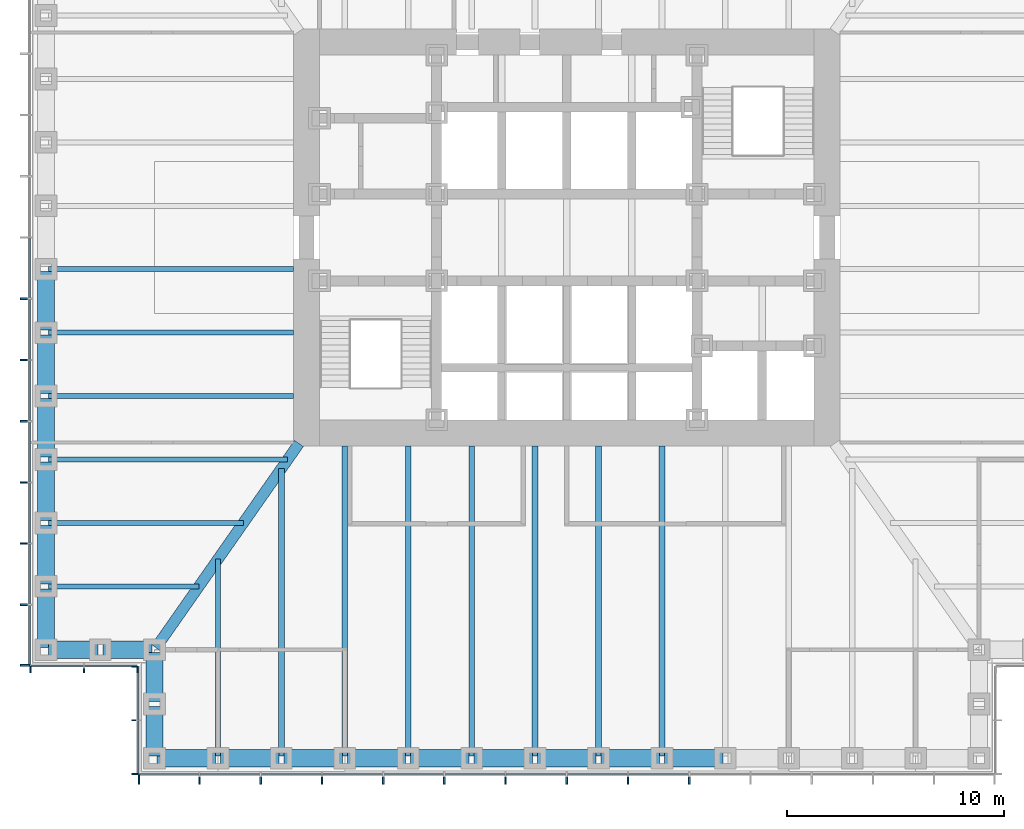
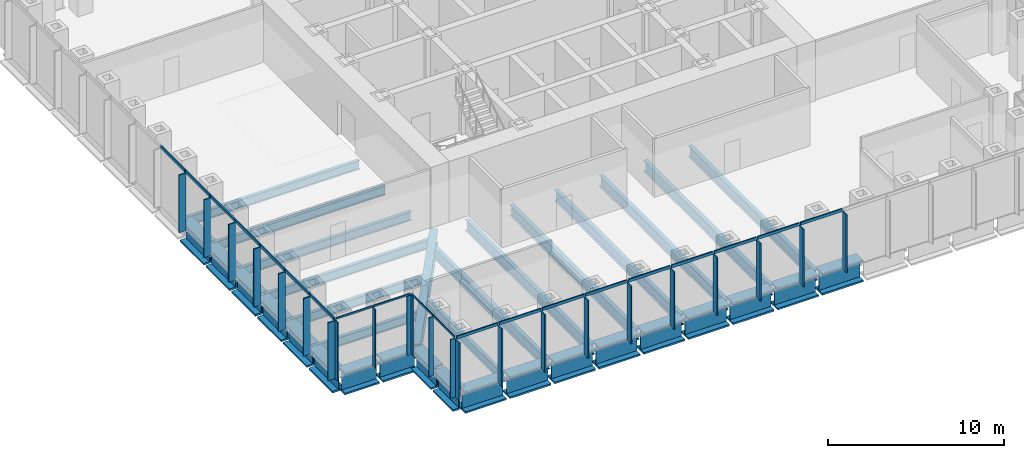
# One storey, part 2 of 16: 43 members, 34 beams, 4 elements without a shape of their own.
"""IFC4 building model written with IfcOpenShell, lengths in metres."""

import ifcopenshell
import ifcopenshell.guid

model = None  # the IFC model being written
_history = None  # IfcOwnerHistory: only IFC2X3 demands one
_inside = {}  # id of a spatial element -> (the spatial element, [elements in it])
_under = {}  # id of a project, library or spatial element -> (it, [spatial elements below it])
_declared = {}  # id of a project -> (the project, [libraries it declares])
_typed = {}  # id of a type object -> (the type object, [elements of that type])
_made_of = {}  # id of a material, layer set ... -> (it, [elements and type objects made of it])


def new_model(schema):
    """Start an empty IFC model of exactly this schema.

    Asked for "IFC4X3", IfcOpenShell would pick the latest addendum, in which some entities
    have other attributes; the version numbers below select the first issue.
    IFC2X3 requires an IfcOwnerHistory on every rooted entity: one is made here for all.
    """
    global model, _history
    if schema == "IFC4X3":
        model = ifcopenshell.file(schema_version=(4, 3, 0, 0))
    else:
        model = ifcopenshell.file(schema=schema)
    _inside.clear()
    _under.clear()
    _declared.clear()
    _typed.clear()
    _made_of.clear()
    _history = None
    if model.schema == "IFC2X3":
        org = make("IfcOrganization", Name="unknown")
        user = make(
            "IfcPersonAndOrganization",
            ThePerson=make("IfcPerson", FamilyName="unknown"),
            TheOrganization=org,
        )
        app = make(
            "IfcApplication",
            ApplicationDeveloper=org,
            Version="unknown",
            ApplicationFullName="unknown",
            ApplicationIdentifier="unknown",
        )
        _history = make(
            "IfcOwnerHistory",
            OwningUser=user,
            OwningApplication=app,
            ChangeAction="ADDED",
            CreationDate=0,
        )
    return model


def make(cls, **values):
    """One entity of the class cls with the attributes given. An attribute that is None is left unset."""
    return model.create_entity(
        cls, **{name: value for name, value in values.items() if value is not None}
    )


def rooted(cls, **values):
    """An entity with a GlobalId (a new one), such as an element, a storey or a relation."""
    return make(cls, GlobalId=ifcopenshell.guid.new(), OwnerHistory=_history, **values)


def si_unit(unit_type, name, prefix=None):
    """IfcSIUnit, for example si_unit("LENGTHUNIT", "METRE", prefix="MILLI")."""
    return make("IfcSIUnit", UnitType=unit_type, Prefix=prefix, Name=name)


def assignment(units):
    """IfcUnitAssignment: the units of a project."""
    return None if units is None else make("IfcUnitAssignment", Units=units)


def point(xyz):
    """IfcCartesianPoint."""
    return None if xyz is None else make("IfcCartesianPoint", Coordinates=xyz)


def direction(xyz):
    """IfcDirection."""
    return None if xyz is None else make("IfcDirection", DirectionRatios=xyz)


def frame(location, z_axis=None, x_axis=None):
    """IfcAxis2Placement3D, a coordinate frame: its origin and axes. An axis left out is left unset."""
    return make(
        "IfcAxis2Placement3D",
        Location=point(location),
        Axis=direction(z_axis),
        RefDirection=direction(x_axis),
    )


def frame_2d(location, x_axis=None):
    """IfcAxis2Placement2D, a coordinate frame in the plane: its origin and x axis."""
    return make(
        "IfcAxis2Placement2D", Location=point(location), RefDirection=direction(x_axis)
    )


def origin():
    """The frame at (0, 0, 0) with its axes left unset."""
    return frame((0.0, 0.0, 0.0))


def origin_2d():
    """The frame at (0, 0) in the plane with its x axis left unset."""
    return frame_2d((0.0, 0.0))


def place(relative_to, where):
    """IfcLocalPlacement: puts the frame where relative to a parent placement (None: the world)."""
    return make(
        "IfcLocalPlacement", PlacementRelTo=relative_to, RelativePlacement=where
    )


def context(
    kind, dimensions, precision=None, world=None, true_north=None, identifier=None
):
    """IfcGeometricRepresentationContext, for example the 3D "Model" context."""
    return make(
        "IfcGeometricRepresentationContext",
        ContextIdentifier=identifier,
        ContextType=kind,
        CoordinateSpaceDimension=dimensions,
        Precision=precision,
        WorldCoordinateSystem=world,
        TrueNorth=true_north,
    )


def subcontext(parent, identifier, kind, view, scale=None):
    """IfcGeometricRepresentationSubContext, for example "Body" below "Model"."""
    return make(
        "IfcGeometricRepresentationSubContext",
        ContextIdentifier=identifier,
        ContextType=kind,
        ParentContext=parent,
        TargetScale=scale,
        TargetView=view,
    )


def project(units=None, contexts=None):
    """IfcProject with its units and contexts."""
    return rooted(
        "IfcProject",
        Name="project",
        RepresentationContexts=contexts,
        UnitsInContext=assignment(units),
    )


def spatial(cls, under=None, at=None, **own):
    """A site, building, storey or space (cls), placed at a placement, below another one or the project."""
    s = rooted(cls, ObjectPlacement=at, **own)
    if under is not None:
        _under.setdefault(under.id(), (under, []))[1].append(s)
    return s


def profile(cls, at=None, kind="AREA", **sizes):
    """A parametric profile (cls). Its sizes go by their IFC names, for example OverallWidth=200.0."""
    return make(cls, ProfileType=kind, Position=at, **sizes)


def rectangle(**sizes):
    """IfcRectangleProfileDef."""
    return profile("IfcRectangleProfileDef", **sizes)


def i_section(**sizes):
    """IfcIShapeProfileDef."""
    return profile("IfcIShapeProfileDef", **sizes)


def extrude(swept, where, along, depth):
    """IfcExtrudedAreaSolid: the profile swept, set in the frame where, extruded along a direction by depth."""
    return make(
        "IfcExtrudedAreaSolid",
        SweptArea=swept,
        Position=where,
        ExtrudedDirection=direction(along),
        Depth=depth,
    )


def shape(context_of_items, identifier, shape_type, items):
    """IfcShapeRepresentation: the items that make up one representation, for example the "Body"."""
    return make(
        "IfcShapeRepresentation",
        ContextOfItems=context_of_items,
        RepresentationIdentifier=identifier,
        RepresentationType=shape_type,
        Items=items,
    )


def material(Name=None, Category=None):
    """IfcMaterial."""
    return make("IfcMaterial", Name=Name, Category=Category)


def material_profile(
    of_material, cross_section, Name=None, Category=None, Priority=None
):
    """IfcMaterialProfile: a cross section and its material."""
    return make(
        "IfcMaterialProfile",
        Name=Name,
        Material=of_material,
        Profile=cross_section,
        Priority=Priority,
        Category=Category,
    )


def profile_set(profiles, Name=None, composite=None):
    """IfcMaterialProfileSet."""
    return make(
        "IfcMaterialProfileSet",
        Name=Name,
        MaterialProfiles=profiles,
        CompositeProfile=composite,
    )


def made_of(thing, what):
    """Note that an element or type object is made of a material, layer set ...; save() writes the relation."""
    if what is not None:
        _made_of.setdefault(what.id(), (what, []))[1].append(thing)
    return thing


def type_object(cls, material=None, **own):
    """A type object (cls), such as IfcWallType, which elements share."""
    return made_of(rooted(cls, **own), material)


def element(
    cls,
    number,
    at=None,
    inside=None,
    cuts=None,
    type_object=None,
    material=None,
    context=None,
    identifier="Body",
    shape_type=None,
    held_by="IfcProductDefinitionShape",
    body=None,
    shapes=None,
    **own,
):
    """One element of the class cls, such as IfcWall. Its Tag is "e" and its number.

    at: its placement. inside: the storey or other place that contains it. cuts: it is an
    opening in that element (IfcRelVoidsElement). A single representation is given by context,
    identifier, shape_type and body (its items); several are given by shapes. held_by: the class
    of the entity that holds the representations. save() writes the other relations.
    """
    e = rooted(cls, Tag="e%d" % number, ObjectPlacement=at, **own)
    if body is not None:
        shapes = [shape(context, identifier, shape_type, body)]
    if shapes is not None:
        e.Representation = make(held_by, Representations=shapes)
    if inside is not None:
        _inside.setdefault(inside.id(), (inside, []))[1].append(e)
    if cuts is not None:
        rooted(
            "IfcRelVoidsElement", RelatingBuildingElement=cuts, RelatedOpeningElement=e
        )
    if type_object is not None:
        _typed.setdefault(type_object.id(), (type_object, []))[1].append(e)
    return made_of(e, material)


def aggregate(whole, parts):
    """IfcRelAggregates: a whole, such as a stair, and the parts it consists of."""
    return rooted("IfcRelAggregates", RelatingObject=whole, RelatedObjects=parts)


def save(model, path):
    """Write the relations noted so far, then the file.

    IfcRelAggregates (storeys below a building ...), IfcRelContainedInSpatialStructure (elements
    in a storey), IfcRelDefinesByType, IfcRelAssociatesMaterial and IfcRelDeclares: one each for
    every whole, place, type object, material and project.
    """
    for whole, parts in _under.values():
        aggregate(whole, parts)
    for where, things in _inside.values():
        rooted(
            "IfcRelContainedInSpatialStructure",
            RelatedElements=things,
            RelatingStructure=where,
        )
    for kind, things in _typed.values():
        rooted("IfcRelDefinesByType", RelatedObjects=things, RelatingType=kind)
    for what, things in _made_of.values():
        rooted("IfcRelAssociatesMaterial", RelatedObjects=things, RelatingMaterial=what)
    for by, libraries in _declared.values():
        rooted("IfcRelDeclares", RelatingContext=by, RelatedDefinitions=libraries)
    model.write(path)


model = new_model("IFC4")

# Units and contexts
model_context = context("Model", 3, precision=1e-05, world=origin(), true_north=direction((0.0, 1.0)))
body_context = subcontext(model_context, "Body", "Model", "MODEL_VIEW")
ifc_project = project(units=[si_unit("LENGTHUNIT", "METRE"), si_unit("AREAUNIT", "SQUARE_METRE"), si_unit("VOLUMEUNIT", "CUBIC_METRE"), si_unit("PLANEANGLEUNIT", "RADIAN"), si_unit("MASSUNIT", "GRAM", prefix="KILO")], contexts=[model_context])

# Site, building, storey
site_placement = place(None, origin())
site = spatial("IfcSite", under=ifc_project, at=site_placement, CompositionType="ELEMENT")
building_placement = place(site_placement, origin())
building = spatial("IfcBuilding", under=site, at=building_placement, Name="Daluyong Arena Tower", CompositionType="ELEMENT")
storey_placement = place(building_placement, frame((0.0, 0.0, 47.5)))
storey = spatial("IfcBuildingStorey", under=building, at=storey_placement, Name="L09", CompositionType="ELEMENT", Elevation=47.5)

# Curtain wall, members
ifc_material_1 = material(Name="Bronze anodised aluminium and glass", Category="aluminium")
curtain_wall_type_1 = type_object("IfcCurtainWallType", Name="Curtain wall CW1", PredefinedType="USERDEFINED", material=ifc_material_1)
curtain_wall_1_placement = place(storey_placement, origin())
curtain_wall_1 = element("IfcCurtainWall", 1, at=curtain_wall_1_placement, inside=storey, type_object=curtain_wall_type_1, Name="curtain wall L09 S", ObjectType="UNITISED CURTAIN WALL", PredefinedType="USERDEFINED")
ifc_material_2 = material(Name="Bronze anodised aluminium fin", Category="aluminium")
ifc_material_profile_1 = material_profile(ifc_material_2, rectangle(XDim=0.449951171875, YDim=0.080078125, at=origin_2d()))
ifc_profile_set_1 = profile_set([ifc_material_profile_1], Name="Bronze anodised aluminium fin")
member_type_1 = type_object("IfcMemberType", Name="CW1 bronze fin 450x80", PredefinedType="MULLION", material=ifc_profile_set_1)
member_1_placement = place(storey_placement, frame((36.2900390625, 55.02490234375, 0.0), z_axis=(0.0, 0.0, 1.0), x_axis=(0.0, 1.0, 0.0)))
member_1 = element("IfcMember", 2, at=member_1_placement, type_object=member_type_1, Name="curtain wall L09 S fin 1", PredefinedType="MULLION", context=body_context, shape_type="SweptSolid", body=[
    extrude(rectangle(XDim=0.449951171875, YDim=0.080078125, at=origin_2d()), origin(), (0.0, 0.0, 1.0), 4.0),
])
member_2_placement = place(storey_placement, frame((39.071533203125, 55.02490234375, 0.0), z_axis=(0.0, 0.0, 1.0), x_axis=(0.0, 1.0, 0.0)))
member_2 = element("IfcMember", 3, at=member_2_placement, type_object=member_type_1, Name="curtain wall L09 S fin 2", PredefinedType="MULLION", context=body_context, shape_type="SweptSolid", body=[
    extrude(rectangle(XDim=0.449951171875, YDim=0.080078125, at=origin_2d()), origin(), (0.0, 0.0, 1.0), 4.0),
])
member_3_placement = place(storey_placement, frame((41.892822265625, 55.02490234375, 0.0), z_axis=(0.0, 0.0, 1.0), x_axis=(0.0, 1.0, 0.0)))
member_3 = element("IfcMember", 4, at=member_3_placement, type_object=member_type_1, Name="curtain wall L09 S fin 3", PredefinedType="MULLION", context=body_context, shape_type="SweptSolid", body=[
    extrude(rectangle(XDim=0.449951171875, YDim=0.080078125, at=origin_2d()), origin(), (0.0, 0.0, 1.0), 4.0),
])
member_4_placement = place(storey_placement, frame((44.71435546875, 55.02490234375, 0.0), z_axis=(0.0, 0.0, 1.0), x_axis=(0.0, 1.0, 0.0)))
member_4 = element("IfcMember", 5, at=member_4_placement, type_object=member_type_1, Name="curtain wall L09 S fin 4", PredefinedType="MULLION", context=body_context, shape_type="SweptSolid", body=[
    extrude(rectangle(XDim=0.449951171875, YDim=0.080078125, at=origin_2d()), origin(), (0.0, 0.0, 1.0), 4.0),
])
member_5_placement = place(storey_placement, frame((47.53564453125, 55.02490234375, 0.0), z_axis=(0.0, 0.0, 1.0), x_axis=(0.0, 1.0, 0.0)))
member_5 = element("IfcMember", 6, at=member_5_placement, type_object=member_type_1, Name="curtain wall L09 S fin 5", PredefinedType="MULLION", context=body_context, shape_type="SweptSolid", body=[
    extrude(rectangle(XDim=0.449951171875, YDim=0.080078125, at=origin_2d()), origin(), (0.0, 0.0, 1.0), 4.0),
])
member_6_placement = place(storey_placement, frame((50.357177734375, 55.02490234375, 0.0), z_axis=(0.0, 0.0, 1.0), x_axis=(0.0, 1.0, 0.0)))
member_6 = element("IfcMember", 7, at=member_6_placement, type_object=member_type_1, Name="curtain wall L09 S fin 6", PredefinedType="MULLION", context=body_context, shape_type="SweptSolid", body=[
    extrude(rectangle(XDim=0.449951171875, YDim=0.080078125, at=origin_2d()), origin(), (0.0, 0.0, 1.0), 4.0),
])
member_7_placement = place(storey_placement, frame((53.178466796875, 55.02490234375, 0.0), z_axis=(0.0, 0.0, 1.0), x_axis=(0.0, 1.0, 0.0)))
member_7 = element("IfcMember", 8, at=member_7_placement, type_object=member_type_1, Name="curtain wall L09 S fin 7", PredefinedType="MULLION", context=body_context, shape_type="SweptSolid", body=[
    extrude(rectangle(XDim=0.449951171875, YDim=0.080078125, at=origin_2d()), origin(), (0.0, 0.0, 1.0), 4.0),
])
member_8_placement = place(storey_placement, frame((56.0, 55.02490234375, 0.0), z_axis=(0.0, 0.0, 1.0), x_axis=(0.0, 1.0, 0.0)))
member_8 = element("IfcMember", 9, at=member_8_placement, type_object=member_type_1, Name="curtain wall L09 S fin 8", PredefinedType="MULLION", context=body_context, shape_type="SweptSolid", body=[
    extrude(rectangle(XDim=0.449951171875, YDim=0.080078125, at=origin_2d()), origin(), (0.0, 0.0, 1.0), 4.0),
])
member_9_placement = place(storey_placement, frame((58.821533203125, 55.02490234375, 0.0), z_axis=(0.0, 0.0, 1.0), x_axis=(0.0, 1.0, 0.0)))
member_9 = element("IfcMember", 10, at=member_9_placement, type_object=member_type_1, Name="curtain wall L09 S fin 9", PredefinedType="MULLION", context=body_context, shape_type="SweptSolid", body=[
    extrude(rectangle(XDim=0.449951171875, YDim=0.080078125, at=origin_2d()), origin(), (0.0, 0.0, 1.0), 4.0),
])
member_10_placement = place(storey_placement, frame((61.642822265625, 55.02490234375, 0.0), z_axis=(0.0, 0.0, 1.0), x_axis=(0.0, 1.0, 0.0)))
member_10 = element("IfcMember", 11, at=member_10_placement, type_object=member_type_1, Name="curtain wall L09 S fin 10", PredefinedType="MULLION", context=body_context, shape_type="SweptSolid", body=[
    extrude(rectangle(XDim=0.449951171875, YDim=0.080078125, at=origin_2d()), origin(), (0.0, 0.0, 1.0), 4.0),
])

curtain_wall_2_placement = place(storey_placement, origin())
curtain_wall_2 = element("IfcCurtainWall", 12, at=curtain_wall_2_placement, inside=storey, type_object=curtain_wall_type_1, Name="curtain wall L09 W", ObjectType="UNITISED CURTAIN WALL", PredefinedType="USERDEFINED")
member_11_placement = place(storey_placement, frame((31.02490234375, 77.178466796875, 0.0), z_axis=(0.0, 0.0, 1.0), x_axis=(1.0, 0.0, 0.0)))
member_11 = element("IfcMember", 13, at=member_11_placement, type_object=member_type_1, Name="curtain wall L09 W fin 9", PredefinedType="MULLION", context=body_context, shape_type="SweptSolid", body=[
    extrude(rectangle(XDim=0.449951171875, YDim=0.080078125, at=origin_2d()), origin(), (0.0, 0.0, 1.0), 4.0),
])
member_12_placement = place(storey_placement, frame((31.02490234375, 74.357177734375, 0.0), z_axis=(0.0, 0.0, 1.0), x_axis=(1.0, 0.0, 0.0)))
member_12 = element("IfcMember", 14, at=member_12_placement, type_object=member_type_1, Name="curtain wall L09 W fin 10", PredefinedType="MULLION", context=body_context, shape_type="SweptSolid", body=[
    extrude(rectangle(XDim=0.449951171875, YDim=0.080078125, at=origin_2d()), origin(), (0.0, 0.0, 1.0), 4.0),
])
member_13_placement = place(storey_placement, frame((31.02490234375, 71.53564453125, 0.0), z_axis=(0.0, 0.0, 1.0), x_axis=(1.0, 0.0, 0.0)))
member_13 = element("IfcMember", 15, at=member_13_placement, type_object=member_type_1, Name="curtain wall L09 W fin 11", PredefinedType="MULLION", context=body_context, shape_type="SweptSolid", body=[
    extrude(rectangle(XDim=0.449951171875, YDim=0.080078125, at=origin_2d()), origin(), (0.0, 0.0, 1.0), 4.0),
])
member_14_placement = place(storey_placement, frame((31.02490234375, 68.71435546875, 0.0), z_axis=(0.0, 0.0, 1.0), x_axis=(1.0, 0.0, 0.0)))
member_14 = element("IfcMember", 16, at=member_14_placement, type_object=member_type_1, Name="curtain wall L09 W fin 12", PredefinedType="MULLION", context=body_context, shape_type="SweptSolid", body=[
    extrude(rectangle(XDim=0.449951171875, YDim=0.080078125, at=origin_2d()), origin(), (0.0, 0.0, 1.0), 4.0),
])
member_15_placement = place(storey_placement, frame((31.02490234375, 65.892822265625, 0.0), z_axis=(0.0, 0.0, 1.0), x_axis=(1.0, 0.0, 0.0)))
member_15 = element("IfcMember", 17, at=member_15_placement, type_object=member_type_1, Name="curtain wall L09 W fin 13", PredefinedType="MULLION", context=body_context, shape_type="SweptSolid", body=[
    extrude(rectangle(XDim=0.449951171875, YDim=0.080078125, at=origin_2d()), origin(), (0.0, 0.0, 1.0), 4.0),
])
member_16_placement = place(storey_placement, frame((31.02490234375, 63.071533203125, 0.0), z_axis=(0.0, 0.0, 1.0), x_axis=(1.0, 0.0, 0.0)))
member_16 = element("IfcMember", 18, at=member_16_placement, type_object=member_type_1, Name="curtain wall L09 W fin 14", PredefinedType="MULLION", context=body_context, shape_type="SweptSolid", body=[
    extrude(rectangle(XDim=0.449951171875, YDim=0.080078125, at=origin_2d()), origin(), (0.0, 0.0, 1.0), 4.0),
])
member_17_placement = place(storey_placement, frame((31.02490234375, 60.2900390625, 0.0), z_axis=(0.0, 0.0, 1.0), x_axis=(1.0, 0.0, 0.0)))
member_17 = element("IfcMember", 19, at=member_17_placement, type_object=member_type_1, Name="curtain wall L09 W fin 15", PredefinedType="MULLION", context=body_context, shape_type="SweptSolid", body=[
    extrude(rectangle(XDim=0.449951171875, YDim=0.080078125, at=origin_2d()), origin(), (0.0, 0.0, 1.0), 4.0),
])

# Member
ifc_material_3 = material(Name="Bronze anodised aluminium", Category="aluminium")
ifc_material_profile_2 = material_profile(ifc_material_3, rectangle(XDim=0.080078125, YDim=0.199951171875, at=origin_2d()))
ifc_profile_set_2 = profile_set([ifc_material_profile_2], Name="Bronze anodised aluminium")
member_type_2 = type_object("IfcMemberType", Name="CW1 stack transom 200x80", PredefinedType="USERDEFINED", material=ifc_profile_set_2)
member_18_placement = place(storey_placement, frame((36.330078125, 55.25, 4.10009765625), z_axis=(1.0, 0.0, 0.0), x_axis=(0.0, 1.0, 0.0)))
member_18 = element("IfcMember", 20, at=member_18_placement, type_object=member_type_2, Name="curtain wall L09 S transom 1", ObjectType="TRANSOM", PredefinedType="USERDEFINED", context=body_context, shape_type="SweptSolid", body=[
    extrude(rectangle(XDim=0.080078125, YDim=0.199951171875, at=origin_2d()), origin(), (0.0, 0.0, 1.0), 2.701416015625),
])

member_19_placement = place(storey_placement, frame((39.111328125, 55.25, 4.10009765625), z_axis=(1.0, 0.0, 0.0), x_axis=(0.0, 1.0, 0.0)))
member_19 = element("IfcMember", 21, at=member_19_placement, type_object=member_type_2, Name="curtain wall L09 S transom 2", ObjectType="TRANSOM", PredefinedType="USERDEFINED", context=body_context, shape_type="SweptSolid", body=[
    extrude(rectangle(XDim=0.080078125, YDim=0.199951171875, at=origin_2d()), origin(), (0.0, 0.0, 1.0), 2.741455078125),
])

member_20_placement = place(storey_placement, frame((41.932861328125, 55.25, 4.10009765625), z_axis=(1.0, 0.0, 0.0), x_axis=(0.0, 1.0, 0.0)))
member_20 = element("IfcMember", 22, at=member_20_placement, type_object=member_type_2, Name="curtain wall L09 S transom 3", ObjectType="TRANSOM", PredefinedType="USERDEFINED", context=body_context, shape_type="SweptSolid", body=[
    extrude(rectangle(XDim=0.080078125, YDim=0.199951171875, at=origin_2d()), origin(), (0.0, 0.0, 1.0), 2.741455078125),
])

member_21_placement = place(storey_placement, frame((44.75439453125, 55.25, 4.10009765625), z_axis=(1.0, 0.0, 0.0), x_axis=(0.0, 1.0, 0.0)))
member_21 = element("IfcMember", 23, at=member_21_placement, type_object=member_type_2, Name="curtain wall L09 S transom 4", ObjectType="TRANSOM", PredefinedType="USERDEFINED", context=body_context, shape_type="SweptSolid", body=[
    extrude(rectangle(XDim=0.080078125, YDim=0.199951171875, at=origin_2d()), origin(), (0.0, 0.0, 1.0), 2.7412109375),
])

member_22_placement = place(storey_placement, frame((47.57568359375, 55.25, 4.10009765625), z_axis=(1.0, 0.0, 0.0), x_axis=(0.0, 1.0, 0.0)))
member_22 = element("IfcMember", 24, at=member_22_placement, type_object=member_type_2, Name="curtain wall L09 S transom 5", ObjectType="TRANSOM", PredefinedType="USERDEFINED", context=body_context, shape_type="SweptSolid", body=[
    extrude(rectangle(XDim=0.080078125, YDim=0.199951171875, at=origin_2d()), origin(), (0.0, 0.0, 1.0), 2.741455078125),
])

member_23_placement = place(storey_placement, frame((50.397216796875, 55.25, 4.10009765625), z_axis=(1.0, 0.0, 0.0), x_axis=(0.0, 1.0, 0.0)))
member_23 = element("IfcMember", 25, at=member_23_placement, type_object=member_type_2, Name="curtain wall L09 S transom 6", ObjectType="TRANSOM", PredefinedType="USERDEFINED", context=body_context, shape_type="SweptSolid", body=[
    extrude(rectangle(XDim=0.080078125, YDim=0.199951171875, at=origin_2d()), origin(), (0.0, 0.0, 1.0), 2.741455078125),
])

member_24_placement = place(storey_placement, frame((53.218505859375, 55.25, 4.10009765625), z_axis=(1.0, 0.0, 0.0), x_axis=(0.0, 1.0, 0.0)))
member_24 = element("IfcMember", 26, at=member_24_placement, type_object=member_type_2, Name="curtain wall L09 S transom 7", ObjectType="TRANSOM", PredefinedType="USERDEFINED", context=body_context, shape_type="SweptSolid", body=[
    extrude(rectangle(XDim=0.080078125, YDim=0.199951171875, at=origin_2d()), origin(), (0.0, 0.0, 1.0), 2.741455078125),
])

member_25_placement = place(storey_placement, frame((56.0400390625, 55.25, 4.10009765625), z_axis=(1.0, 0.0, 0.0), x_axis=(0.0, 1.0, 0.0)))
member_25 = element("IfcMember", 27, at=member_25_placement, type_object=member_type_2, Name="curtain wall L09 S transom 8", ObjectType="TRANSOM", PredefinedType="USERDEFINED", context=body_context, shape_type="SweptSolid", body=[
    extrude(rectangle(XDim=0.080078125, YDim=0.199951171875, at=origin_2d()), origin(), (0.0, 0.0, 1.0), 2.741455078125),
])

member_26_placement = place(storey_placement, frame((58.861328125, 55.25, 4.10009765625), z_axis=(1.0, 0.0, 0.0), x_axis=(0.0, 1.0, 0.0)))
member_26 = element("IfcMember", 28, at=member_26_placement, type_object=member_type_2, Name="curtain wall L09 S transom 9", ObjectType="TRANSOM", PredefinedType="USERDEFINED", context=body_context, shape_type="SweptSolid", body=[
    extrude(rectangle(XDim=0.080078125, YDim=0.199951171875, at=origin_2d()), origin(), (0.0, 0.0, 1.0), 2.741455078125),
])

aggregate(curtain_wall_1, [member_1, member_2, member_3, member_4, member_5, member_6, member_7, member_8, member_9, member_10, member_18, member_19, member_20, member_21, member_22, member_23, member_24, member_25, member_26])

member_27_placement = place(storey_placement, frame((31.25, 79.9599609375, 4.10009765625), z_axis=(0.0, -1.0, 0.0), x_axis=(1.0, 0.0, 0.0)))
member_27 = element("IfcMember", 29, at=member_27_placement, type_object=member_type_2, Name="curtain wall L09 W transom 8", ObjectType="TRANSOM", PredefinedType="USERDEFINED", context=body_context, shape_type="SweptSolid", body=[
    extrude(rectangle(XDim=0.080078125, YDim=0.199951171875, at=origin_2d()), origin(), (0.0, 0.0, 1.0), 2.741455078125),
])

member_28_placement = place(storey_placement, frame((31.25, 77.138671875, 4.10009765625), z_axis=(0.0, -1.0, 0.0), x_axis=(1.0, 0.0, 0.0)))
member_28 = element("IfcMember", 30, at=member_28_placement, type_object=member_type_2, Name="curtain wall L09 W transom 9", ObjectType="TRANSOM", PredefinedType="USERDEFINED", context=body_context, shape_type="SweptSolid", body=[
    extrude(rectangle(XDim=0.080078125, YDim=0.199951171875, at=origin_2d()), origin(), (0.0, 0.0, 1.0), 2.741455078125),
])

member_29_placement = place(storey_placement, frame((31.25, 74.317138671875, 4.10009765625), z_axis=(0.0, -1.0, 0.0), x_axis=(1.0, 0.0, 0.0)))
member_29 = element("IfcMember", 31, at=member_29_placement, type_object=member_type_2, Name="curtain wall L09 W transom 10", ObjectType="TRANSOM", PredefinedType="USERDEFINED", context=body_context, shape_type="SweptSolid", body=[
    extrude(rectangle(XDim=0.080078125, YDim=0.199951171875, at=origin_2d()), origin(), (0.0, 0.0, 1.0), 2.741455078125),
])

member_30_placement = place(storey_placement, frame((31.25, 71.49560546875, 4.10009765625), z_axis=(0.0, -1.0, 0.0), x_axis=(1.0, 0.0, 0.0)))
member_30 = element("IfcMember", 32, at=member_30_placement, type_object=member_type_2, Name="curtain wall L09 W transom 11", ObjectType="TRANSOM", PredefinedType="USERDEFINED", context=body_context, shape_type="SweptSolid", body=[
    extrude(rectangle(XDim=0.080078125, YDim=0.199951171875, at=origin_2d()), origin(), (0.0, 0.0, 1.0), 2.7412109375),
])

member_31_placement = place(storey_placement, frame((31.25, 68.67431640625, 4.10009765625), z_axis=(0.0, -1.0, 0.0), x_axis=(1.0, 0.0, 0.0)))
member_31 = element("IfcMember", 33, at=member_31_placement, type_object=member_type_2, Name="curtain wall L09 W transom 12", ObjectType="TRANSOM", PredefinedType="USERDEFINED", context=body_context, shape_type="SweptSolid", body=[
    extrude(rectangle(XDim=0.080078125, YDim=0.199951171875, at=origin_2d()), origin(), (0.0, 0.0, 1.0), 2.741455078125),
])

member_32_placement = place(storey_placement, frame((31.25, 65.852783203125, 4.10009765625), z_axis=(0.0, -1.0, 0.0), x_axis=(1.0, 0.0, 0.0)))
member_32 = element("IfcMember", 34, at=member_32_placement, type_object=member_type_2, Name="curtain wall L09 W transom 13", ObjectType="TRANSOM", PredefinedType="USERDEFINED", context=body_context, shape_type="SweptSolid", body=[
    extrude(rectangle(XDim=0.080078125, YDim=0.199951171875, at=origin_2d()), origin(), (0.0, 0.0, 1.0), 2.741455078125),
])

member_33_placement = place(storey_placement, frame((31.25, 63.031494140625, 4.10009765625), z_axis=(0.0, -1.0, 0.0), x_axis=(1.0, 0.0, 0.0)))
member_33 = element("IfcMember", 35, at=member_33_placement, type_object=member_type_2, Name="curtain wall L09 W transom 14", ObjectType="TRANSOM", PredefinedType="USERDEFINED", context=body_context, shape_type="SweptSolid", body=[
    extrude(rectangle(XDim=0.080078125, YDim=0.199951171875, at=origin_2d()), origin(), (0.0, 0.0, 1.0), 2.701416015625),
])

aggregate(curtain_wall_2, [member_11, member_12, member_13, member_14, member_15, member_16, member_17, member_27, member_28, member_29, member_30, member_31, member_32, member_33])

# Curtain wall, members
ifc_material_4 = material(Name="Bronze anodised aluminium and glass", Category="aluminium")
curtain_wall_type_2 = type_object("IfcCurtainWallType", Name="Curtain wall CW7", PredefinedType="USERDEFINED", material=ifc_material_4)
curtain_wall_3_placement = place(storey_placement, origin())
curtain_wall_3 = element("IfcCurtainWall", 36, at=curtain_wall_3_placement, inside=storey, type_object=curtain_wall_type_2, Name="curtain wall L09 SW-S", ObjectType="UNITISED CURTAIN WALL", PredefinedType="USERDEFINED")
ifc_material_5 = material(Name="Bronze anodised aluminium fin", Category="aluminium")
ifc_material_profile_3 = material_profile(ifc_material_5, rectangle(XDim=0.300048828125, YDim=0.06005859375, at=origin_2d()))
ifc_profile_set_3 = profile_set([ifc_material_profile_3], Name="Bronze anodised aluminium fin")
member_type_3 = type_object("IfcMemberType", Name="CW7 bronze fin 300x60", PredefinedType="MULLION", material=ifc_profile_set_3)
member_34_placement = place(storey_placement, frame((31.280029296875, 60.10009765625, 0.0), z_axis=(0.0, 0.0, 1.0), x_axis=(0.0, 1.0, 0.0)))
member_34 = element("IfcMember", 37, at=member_34_placement, type_object=member_type_3, Name="curtain wall L09 SW-S fin 1", PredefinedType="MULLION", context=body_context, shape_type="SweptSolid", body=[
    extrude(rectangle(XDim=0.300048828125, YDim=0.06005859375, at=origin_2d()), origin(), (0.0, 0.0, 1.0), 4.080078125),
])
member_35_placement = place(storey_placement, frame((33.75, 60.10009765625, 0.0), z_axis=(0.0, 0.0, 1.0), x_axis=(0.0, 1.0, 0.0)))
member_35 = element("IfcMember", 38, at=member_35_placement, type_object=member_type_3, Name="curtain wall L09 SW-S fin 2", PredefinedType="MULLION", context=body_context, shape_type="SweptSolid", body=[
    extrude(rectangle(XDim=0.300048828125, YDim=0.06005859375, at=origin_2d()), origin(), (0.0, 0.0, 1.0), 4.080078125),
])
member_36_placement = place(storey_placement, frame((36.219970703125, 60.10009765625, 0.0), z_axis=(0.0, 0.0, 1.0), x_axis=(0.0, 1.0, 0.0)))
member_36 = element("IfcMember", 39, at=member_36_placement, type_object=member_type_3, Name="curtain wall L09 SW-S fin 3", PredefinedType="MULLION", context=body_context, shape_type="SweptSolid", body=[
    extrude(rectangle(XDim=0.300048828125, YDim=0.06005859375, at=origin_2d()), origin(), (0.0, 0.0, 1.0), 4.080078125),
])

curtain_wall_4_placement = place(storey_placement, origin())
curtain_wall_4 = element("IfcCurtainWall", 40, at=curtain_wall_4_placement, inside=storey, type_object=curtain_wall_type_2, Name="curtain wall L09 SW-W", ObjectType="UNITISED CURTAIN WALL", PredefinedType="USERDEFINED")
member_37_placement = place(storey_placement, frame((36.10009765625, 60.219970703125, 0.0), z_axis=(0.0, 0.0, 1.0), x_axis=(1.0, 0.0, 0.0)))
member_37 = element("IfcMember", 41, at=member_37_placement, type_object=member_type_3, Name="curtain wall L09 SW-W fin 1", PredefinedType="MULLION", context=body_context, shape_type="SweptSolid", body=[
    extrude(rectangle(XDim=0.300048828125, YDim=0.06005859375, at=origin_2d()), origin(), (0.0, 0.0, 1.0), 4.080078125),
])
member_38_placement = place(storey_placement, frame((36.10009765625, 57.75, 0.0), z_axis=(0.0, 0.0, 1.0), x_axis=(1.0, 0.0, 0.0)))
member_38 = element("IfcMember", 42, at=member_38_placement, type_object=member_type_3, Name="curtain wall L09 SW-W fin 2", PredefinedType="MULLION", context=body_context, shape_type="SweptSolid", body=[
    extrude(rectangle(XDim=0.300048828125, YDim=0.06005859375, at=origin_2d()), origin(), (0.0, 0.0, 1.0), 4.080078125),
])
member_39_placement = place(storey_placement, frame((36.10009765625, 55.280029296875, 0.0), z_axis=(0.0, 0.0, 1.0), x_axis=(1.0, 0.0, 0.0)))
member_39 = element("IfcMember", 43, at=member_39_placement, type_object=member_type_3, Name="curtain wall L09 SW-W fin 3", PredefinedType="MULLION", context=body_context, shape_type="SweptSolid", body=[
    extrude(rectangle(XDim=0.300048828125, YDim=0.06005859375, at=origin_2d()), origin(), (0.0, 0.0, 1.0), 4.080078125),
])

# Member
ifc_material_6 = material(Name="Bronze anodised aluminium", Category="aluminium")
ifc_material_profile_4 = material_profile(ifc_material_6, rectangle(XDim=0.06005859375, YDim=0.1201171875, at=origin_2d()))
ifc_profile_set_4 = profile_set([ifc_material_profile_4], Name="Bronze anodised aluminium")
member_type_4 = type_object("IfcMemberType", Name="CW7 stack transom 120x60", PredefinedType="USERDEFINED", material=ifc_profile_set_4)
member_40_placement = place(storey_placement, frame((31.31005859375, 60.25, 4.139892578125), z_axis=(1.0, 0.0, 0.0), x_axis=(0.0, 1.0, 0.0)))
member_40 = element("IfcMember", 44, at=member_40_placement, type_object=member_type_4, Name="curtain wall L09 SW-S transom 1", ObjectType="TRANSOM", PredefinedType="USERDEFINED", context=body_context, shape_type="SweptSolid", body=[
    extrude(rectangle(XDim=0.06005859375, YDim=0.1201171875, at=origin_2d()), origin(), (0.0, 0.0, 1.0), 2.409912109375),
])

member_41_placement = place(storey_placement, frame((33.780029296875, 60.25, 4.139892578125), z_axis=(1.0, 0.0, 0.0), x_axis=(0.0, 1.0, 0.0)))
member_41 = element("IfcMember", 45, at=member_41_placement, type_object=member_type_4, Name="curtain wall L09 SW-S transom 2", ObjectType="TRANSOM", PredefinedType="USERDEFINED", context=body_context, shape_type="SweptSolid", body=[
    extrude(rectangle(XDim=0.06005859375, YDim=0.1201171875, at=origin_2d()), origin(), (0.0, 0.0, 1.0), 2.409912109375),
])

aggregate(curtain_wall_3, [member_34, member_35, member_36, member_40, member_41])

member_42_placement = place(storey_placement, frame((36.25, 60.18994140625, 4.139892578125), z_axis=(0.0, -1.0, 0.0), x_axis=(1.0, 0.0, 0.0)))
member_42 = element("IfcMember", 46, at=member_42_placement, type_object=member_type_4, Name="curtain wall L09 SW-W transom 1", ObjectType="TRANSOM", PredefinedType="USERDEFINED", context=body_context, shape_type="SweptSolid", body=[
    extrude(rectangle(XDim=0.06005859375, YDim=0.1201171875, at=origin_2d()), origin(), (0.0, 0.0, 1.0), 2.409912109375),
])

member_43_placement = place(storey_placement, frame((36.25, 57.719970703125, 4.139892578125), z_axis=(0.0, -1.0, 0.0), x_axis=(1.0, 0.0, 0.0)))
member_43 = element("IfcMember", 47, at=member_43_placement, type_object=member_type_4, Name="curtain wall L09 SW-W transom 2", ObjectType="TRANSOM", PredefinedType="USERDEFINED", context=body_context, shape_type="SweptSolid", body=[
    extrude(rectangle(XDim=0.06005859375, YDim=0.1201171875, at=origin_2d()), origin(), (0.0, 0.0, 1.0), 2.409912109375),
])

aggregate(curtain_wall_4, [member_37, member_38, member_39, member_42, member_43])

# Beams
ifc_material_7 = material(Name="Steel ASTM A572 Grade 50", Category="steel")
ifc_material_profile_5 = material_profile(ifc_material_7, i_section(OverallWidth=0.5, OverallDepth=1.0, WebThickness=0.03, FlangeThickness=0.06, at=origin_2d()))
ifc_profile_set_5 = profile_set([ifc_material_profile_5], Name="Steel ASTM A572 Grade 50")
beam_type_1 = type_object("IfcBeamType", Name="Corner girder TB1000X500", PredefinedType="BEAM", material=ifc_profile_set_5)
beam_1_placement = place(storey_placement, frame((37.06591796875, 61.09423828125, -0.659912109375), z_axis=(0.573466621875, 0.819228926244, 0.0), x_axis=(-0.819228926244, 0.573466621875, 0.0)))
element("IfcBeam", 48, at=beam_1_placement, inside=storey, type_object=beam_type_1, Name="corner girder DG2", PredefinedType="BEAM", context=body_context, shape_type="SweptSolid", body=[
    extrude(i_section(OverallWidth=0.5, OverallDepth=1.0, WebThickness=0.03, FlangeThickness=0.06, at=origin_2d()), origin(), (0.0, 0.0, 1.0), 11.49169921875),
])
ifc_material_8 = material(Name="Steel ASTM A992 Grade 50", Category="steel")
ifc_material_profile_6 = material_profile(ifc_material_8, i_section(OverallWidth=0.22900390625, OverallDepth=0.612060546875, WebThickness=0.011962890625, FlangeThickness=0.01953125, at=origin_2d()))
ifc_profile_set_6 = profile_set([ifc_material_profile_6], Name="Steel ASTM A992 Grade 50")
beam_type_2 = type_object("IfcBeamType", Name="Floor beam W24X84", PredefinedType="BEAM", material=ifc_profile_set_6)
beam_2_placement = place(storey_placement, frame((39.923095703125, 56.114990234375, -0.466064453125), z_axis=(0.0, 1.0, 0.0), x_axis=(-1.0, 0.0, 0.0)))
element("IfcBeam", 49, at=beam_2_placement, inside=storey, type_object=beam_type_2, Name="floor beam FB3", PredefinedType="BEAM", context=body_context, shape_type="SweptSolid", body=[
    extrude(i_section(OverallWidth=0.22900390625, OverallDepth=0.612060546875, WebThickness=0.011962890625, FlangeThickness=0.01953125, at=origin_2d()), origin(), (0.0, 0.0, 1.0), 9.060791015625),
])
for number, where, z_axis, x_axis, name in (
    (50, (32.114990234375, 78.53857421875, -0.466064453125), (1.0, 0.0, 0.0), (0.0, 1.0, 0.0), "floor beam FB3"),
    (51, (32.114990234375, 75.615478515625, -0.466064453125), (1.0, 0.0, 0.0), (0.0, 1.0, 0.0), "floor beam FB3"),
    (52, (32.114990234375, 72.6923828125, -0.466064453125), (1.0, 0.0, 0.0), (0.0, 1.0, 0.0), "floor beam FB3"),
):
    element("IfcBeam", number, at=place(storey_placement, frame(where, z_axis=z_axis, x_axis=x_axis)), inside=storey, type_object=beam_type_2, Name=name, PredefinedType="BEAM", context=body_context, shape_type="SweptSolid", body=[
        extrude(i_section(OverallWidth=0.22900390625, OverallDepth=0.612060546875, WebThickness=0.011962890625, FlangeThickness=0.01953125, at=origin_2d()), origin(), (0.0, 0.0, 1.0), 11.284912109375),
    ])
beam_3_placement = place(storey_placement, frame((32.114990234375, 69.769287109375, -0.466064453125), z_axis=(1.0, 0.0, 0.0), x_axis=(0.0, 1.0, 0.0)))
element("IfcBeam", 53, at=beam_3_placement, inside=storey, type_object=beam_type_2, Name="floor beam FB3", PredefinedType="BEAM", context=body_context, shape_type="SweptSolid", body=[
    extrude(i_section(OverallWidth=0.22900390625, OverallDepth=0.612060546875, WebThickness=0.011962890625, FlangeThickness=0.01953125, at=origin_2d()), origin(), (0.0, 0.0, 1.0), 11.0234375),
])
beam_4_placement = place(storey_placement, frame((32.114990234375, 66.84619140625, -0.466064453125), z_axis=(1.0, 0.0, 0.0), x_axis=(0.0, 1.0, 0.0)))
element("IfcBeam", 54, at=beam_4_placement, inside=storey, type_object=beam_type_2, Name="floor beam FB3", PredefinedType="BEAM", context=body_context, shape_type="SweptSolid", body=[
    extrude(i_section(OverallWidth=0.22900390625, OverallDepth=0.612060546875, WebThickness=0.011962890625, FlangeThickness=0.01953125, at=origin_2d()), origin(), (0.0, 0.0, 1.0), 8.977294921875),
])
beam_5_placement = place(storey_placement, frame((32.114990234375, 63.923095703125, -0.466064453125), z_axis=(1.0, 0.0, 0.0), x_axis=(0.0, 1.0, 0.0)))
element("IfcBeam", 55, at=beam_5_placement, inside=storey, type_object=beam_type_2, Name="floor beam FB3", PredefinedType="BEAM", context=body_context, shape_type="SweptSolid", body=[
    extrude(i_section(OverallWidth=0.22900390625, OverallDepth=0.612060546875, WebThickness=0.011962890625, FlangeThickness=0.01953125, at=origin_2d()), origin(), (0.0, 0.0, 1.0), 6.93115234375),
])
ifc_material_9 = material(Name="Steel ASTM A992 Grade 50", Category="steel")
ifc_material_profile_7 = material_profile(ifc_material_9, i_section(OverallWidth=0.2666015625, OverallDepth=0.761962890625, WebThickness=0.014404296875, FlangeThickness=0.021484375, at=origin_2d()))
ifc_profile_set_7 = profile_set([ifc_material_profile_7], Name="Steel ASTM A992 Grade 50")
beam_type_3 = type_object("IfcBeamType", Name="Floor beam W30X116", PredefinedType="BEAM", material=ifc_profile_set_7)
beam_6_placement = place(storey_placement, frame((42.84619140625, 56.114990234375, -0.541015625), z_axis=(0.0, 1.0, 0.0), x_axis=(-1.0, 0.0, 0.0)))
element("IfcBeam", 56, at=beam_6_placement, inside=storey, type_object=beam_type_3, Name="floor beam FB4", PredefinedType="BEAM", context=body_context, shape_type="SweptSolid", body=[
    extrude(i_section(OverallWidth=0.2666015625, OverallDepth=0.761962890625, WebThickness=0.014404296875, FlangeThickness=0.021484375, at=origin_2d()), origin(), (0.0, 0.0, 1.0), 13.236572265625),
])
for number, where, z_axis, x_axis, name in (
    (57, (45.769287109375, 56.114990234375, -0.541015625), (0.0, 1.0, 0.0), (-1.0, 0.0, 0.0), "floor beam FB4"),
    (58, (48.6923828125, 56.114990234375, -0.541015625), (0.0, 1.0, 0.0), (-1.0, 0.0, 0.0), "floor beam FB4"),
    (59, (51.615478515625, 56.114990234375, -0.541015625), (0.0, 1.0, 0.0), (-1.0, 0.0, 0.0), "floor beam FB4"),
    (60, (54.53857421875, 56.114990234375, -0.541015625), (0.0, 1.0, 0.0), (-1.0, 0.0, 0.0), "floor beam FB4"),
    (61, (57.46142578125, 56.114990234375, -0.541015625), (0.0, 1.0, 0.0), (-1.0, 0.0, 0.0), "floor beam FB4"),
    (62, (60.384521484375, 56.114990234375, -0.541015625), (0.0, 1.0, 0.0), (-1.0, 0.0, 0.0), "floor beam FB4"),
):
    element("IfcBeam", number, at=place(storey_placement, frame(where, z_axis=z_axis, x_axis=x_axis)), inside=storey, type_object=beam_type_3, Name=name, PredefinedType="BEAM", context=body_context, shape_type="SweptSolid", body=[
        extrude(i_section(OverallWidth=0.2666015625, OverallDepth=0.761962890625, WebThickness=0.014404296875, FlangeThickness=0.021484375, at=origin_2d()), origin(), (0.0, 0.0, 1.0), 14.284912109375),
    ])
ifc_material_10 = material(Name="Steel ASTM A588 Grade 50", Category="steel")
ifc_material_profile_8 = material_profile(ifc_material_10, i_section(OverallWidth=0.800048828125, OverallDepth=1.5, WebThickness=0.05, FlangeThickness=0.12, at=origin_2d()))
ifc_profile_set_8 = profile_set([ifc_material_profile_8], Name="Steel ASTM A588 Grade 50")
beam_type_4 = type_object("IfcBeamType", Name="Spandrel Z1 PG1500X800", PredefinedType="SPANDREL", material=ifc_profile_set_8)
for number, where, z_axis, x_axis, name in (
    (63, (37.114990234375, 56.0, -0.909912109375), (1.0, 0.0, 0.0), (0.0, 1.0, 0.0), "spandrel z1 SB3"),
    (64, (40.0380859375, 56.0, -0.909912109375), (1.0, 0.0, 0.0), (0.0, 1.0, 0.0), "spandrel z1 SB3"),
    (65, (42.961181640625, 56.0, -0.909912109375), (1.0, 0.0, 0.0), (0.0, 1.0, 0.0), "spandrel z1 SB3"),
    (66, (45.88427734375, 56.0, -0.909912109375), (1.0, 0.0, 0.0), (0.0, 1.0, 0.0), "spandrel z1 SB3"),
    (67, (48.807373046875, 56.0, -0.909912109375), (1.0, 0.0, 0.0), (0.0, 1.0, 0.0), "spandrel z1 SB3"),
    (68, (51.73046875, 56.0, -0.909912109375), (1.0, 0.0, 0.0), (0.0, 1.0, 0.0), "spandrel z1 SB3"),
):
    element("IfcBeam", number, at=place(storey_placement, frame(where, z_axis=z_axis, x_axis=x_axis)), inside=storey, type_object=beam_type_4, Name=name, PredefinedType="SPANDREL", context=body_context, shape_type="SweptSolid", body=[
        extrude(i_section(OverallWidth=0.800048828125, OverallDepth=1.5, WebThickness=0.05, FlangeThickness=0.12, at=origin_2d()), origin(), (0.0, 0.0, 1.0), 2.693115234375),
    ])
beam_7_placement = place(storey_placement, frame((54.653564453125, 56.0, -0.909912109375), z_axis=(1.0, 0.0, 0.0), x_axis=(0.0, 1.0, 0.0)))
element("IfcBeam", 69, at=beam_7_placement, inside=storey, type_object=beam_type_4, Name="spandrel z1 SB3", PredefinedType="SPANDREL", context=body_context, shape_type="SweptSolid", body=[
    extrude(i_section(OverallWidth=0.800048828125, OverallDepth=1.5, WebThickness=0.05, FlangeThickness=0.12, at=origin_2d()), origin(), (0.0, 0.0, 1.0), 2.69287109375),
])
for number, where, z_axis, x_axis, name in (
    (70, (57.576416015625, 56.0, -0.909912109375), (1.0, 0.0, 0.0), (0.0, 1.0, 0.0), "spandrel z1 SB3"),
    (71, (60.49951171875, 56.0, -0.909912109375), (1.0, 0.0, 0.0), (0.0, 1.0, 0.0), "spandrel z1 SB3"),
    (72, (32.0, 78.423583984375, -0.909912109375), (0.0, -1.0, 0.0), (1.0, 0.0, 0.0), "spandrel z1 SB3"),
    (73, (32.0, 75.50048828125, -0.909912109375), (0.0, -1.0, 0.0), (1.0, 0.0, 0.0), "spandrel z1 SB3"),
    (74, (32.0, 72.577392578125, -0.909912109375), (0.0, -1.0, 0.0), (1.0, 0.0, 0.0), "spandrel z1 SB3"),
    (75, (32.0, 69.654296875, -0.909912109375), (0.0, -1.0, 0.0), (1.0, 0.0, 0.0), "spandrel z1 SB3"),
    (76, (32.0, 66.731201171875, -0.909912109375), (0.0, -1.0, 0.0), (1.0, 0.0, 0.0), "spandrel z1 SB3"),
    (77, (32.0, 63.80810546875, -0.909912109375), (0.0, -1.0, 0.0), (1.0, 0.0, 0.0), "spandrel z1 SB3"),
):
    element("IfcBeam", number, at=place(storey_placement, frame(where, z_axis=z_axis, x_axis=x_axis)), inside=storey, type_object=beam_type_4, Name=name, PredefinedType="SPANDREL", context=body_context, shape_type="SweptSolid", body=[
        extrude(i_section(OverallWidth=0.800048828125, OverallDepth=1.5, WebThickness=0.05, FlangeThickness=0.12, at=origin_2d()), origin(), (0.0, 0.0, 1.0), 2.693115234375),
    ])
for number, where, z_axis, x_axis, name in (
    (78, (32.114990234375, 61.0, -0.909912109375), (1.0, 0.0, 0.0), (0.0, 1.0, 0.0), "spandrel z1 SB3"),
    (79, (34.614990234375, 61.0, -0.909912109375), (1.0, 0.0, 0.0), (0.0, 1.0, 0.0), "spandrel z1 SB3"),
    (80, (37.0, 60.885009765625, -0.909912109375), (0.0, -1.0, 0.0), (1.0, 0.0, 0.0), "spandrel z1 SB3"),
    (81, (37.0, 58.385009765625, -0.909912109375), (0.0, -1.0, 0.0), (1.0, 0.0, 0.0), "spandrel z1 SB3"),
):
    element("IfcBeam", number, at=place(storey_placement, frame(where, z_axis=z_axis, x_axis=x_axis)), inside=storey, type_object=beam_type_4, Name=name, PredefinedType="SPANDREL", context=body_context, shape_type="SweptSolid", body=[
        extrude(i_section(OverallWidth=0.800048828125, OverallDepth=1.5, WebThickness=0.05, FlangeThickness=0.12, at=origin_2d()), origin(), (0.0, 0.0, 1.0), 2.27001953125),
    ])

save(model, "model.ifc")
